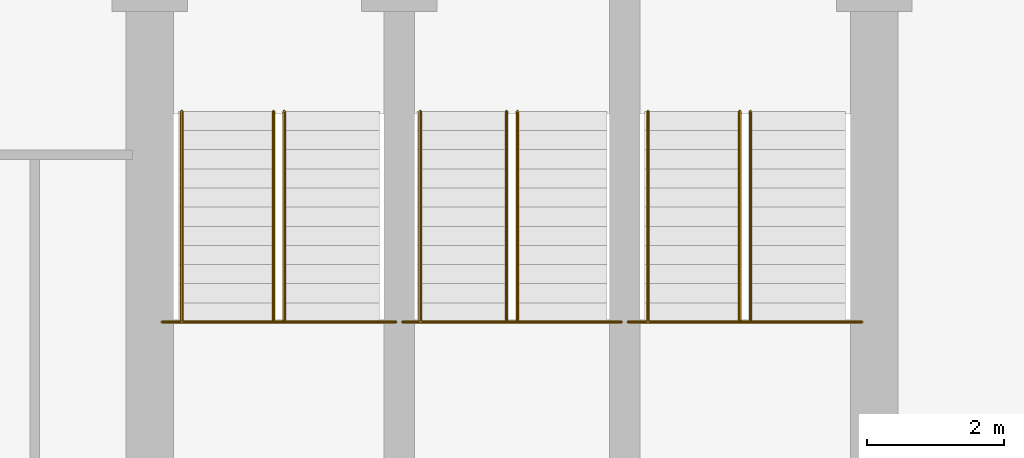
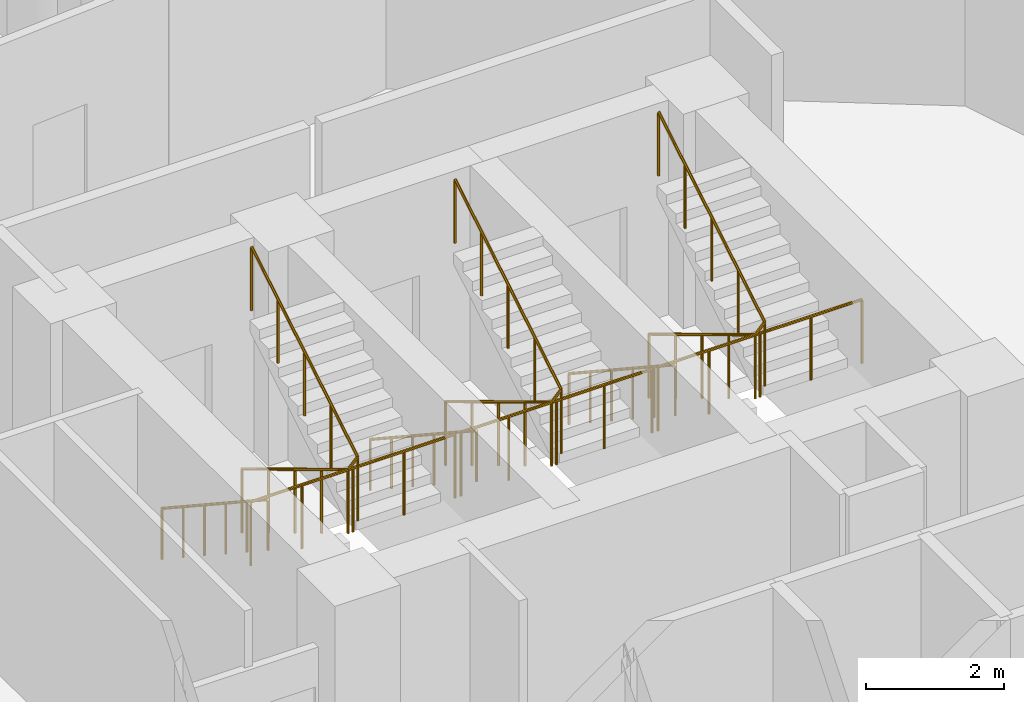
# One storey, part 24 of 24: 9 railings.
"""IFC4 building model written with IfcOpenShell, lengths in metres."""

from ifc_helpers import new_model, si_unit, direction, frame, origin, place, context, subcontext, project, spatial, polyline, outline, extrude, material, type_object, element, save


model = new_model("IFC4")

# Units and contexts
model_context = context("Model", 3, precision=1e-05, world=origin(), true_north=direction((0.0, 1.0)))
body_context = subcontext(model_context, "Body", "Model", "MODEL_VIEW")
ifc_project = project(units=[si_unit("LENGTHUNIT", "METRE"), si_unit("AREAUNIT", "SQUARE_METRE"), si_unit("VOLUMEUNIT", "CUBIC_METRE"), si_unit("PLANEANGLEUNIT", "RADIAN"), si_unit("MASSUNIT", "GRAM", prefix="KILO")], contexts=[model_context])

# Site, building, storey
site_placement = place(None, origin())
site = spatial("IfcSite", under=ifc_project, at=site_placement, CompositionType="ELEMENT")
building_placement = place(site_placement, origin())
building = spatial("IfcBuilding", under=site, at=building_placement, Name="Nuhasar Tower", CompositionType="ELEMENT")
storey_placement = place(building_placement, frame((0.0, 0.0, 73.64990234375)))
storey = spatial("IfcBuildingStorey", under=building, at=storey_placement, Name="L17", CompositionType="ELEMENT", Elevation=73.64990234375)

# Railings
ifc_material_1 = material(Name="Steel S355", Category="steel")
railing_type_1 = type_object("IfcRailingType", Name="RLG-STAIR-GUARD-1150", PredefinedType="GUARDRAIL", material=ifc_material_1)
railing_1_placement = place(storey_placement, frame((33.8798828125, 32.205078125, 2.025146484375)))
element("IfcRailing", 1, at=railing_1_placement, inside=storey, type_object=railing_type_1, Name="L17 Stair ST-01 Guardrail LND", PredefinedType="GUARDRAIL", context=body_context, shape_type="SweptSolid", body=[
    extrude(outline(polyline([(0.024169921875, 0.0), (0.01708984375, 0.01708984375), (0.0, 0.024169921875), (-0.01708984375, 0.01708984375), (-0.024169921875, 0.0), (-0.01708984375, -0.01708984375), (0.0, -0.024169921875), (0.01708984375, -0.01708984375), (0.024169921875, 0.0)])), frame((0.0, 0.0, 1.1259765625), z_axis=(1.0, 0.0, 0.0), x_axis=(0.0, 1.0, 0.0)), (0.0, 0.0, 1.0), 3.420166015625),
    extrude(outline(polyline([(0.02099609375, 0.0), (0.014892578125, 0.014892578125), (0.0, 0.02099609375), (-0.014892578125, 0.014892578125), (-0.02099609375, 0.0), (-0.014892578125, -0.014892578125), (0.0, -0.02099609375), (0.014892578125, -0.014892578125), (0.02099609375, 0.0)])), origin(), (0.0, 0.0, 1.0), 1.101806640625),
    extrude(outline(polyline([(0.02099609375, 0.0), (0.014892578125, 0.014892578125), (0.0, 0.02099609375), (-0.014892578125, 0.014892578125), (-0.02099609375, 0.0), (-0.014892578125, -0.014892578125), (0.0, -0.02099609375), (0.014892578125, -0.014892578125), (0.02099609375, 0.0)])), frame((0.85498046875, 0.0, 0.0)), (0.0, 0.0, 1.0), 1.101806640625),
    extrude(outline(polyline([(0.02099609375, 0.0), (0.014892578125, 0.014892578125), (0.0, 0.02099609375), (-0.014892578125, 0.014892578125), (-0.02099609375, 0.0), (-0.014892578125, -0.014892578125), (0.0, -0.02099609375), (0.014892578125, -0.014892578125), (0.02099609375, 0.0)])), frame((1.7099609375, 0.0, 0.0)), (0.0, 0.0, 1.0), 1.101806640625),
    extrude(outline(polyline([(0.02099609375, 0.0), (0.014892578125, 0.014892578125), (0.0, 0.02099609375), (-0.014892578125, 0.014892578125), (-0.02099609375, 0.0), (-0.014892578125, -0.014892578125), (0.0, -0.02099609375), (0.014892578125, -0.014892578125), (0.02099609375, 0.0)])), frame((2.565185546875, 0.0, 0.0)), (0.0, 0.0, 1.0), 1.101806640625),
    extrude(outline(polyline([(0.02099609375, 0.0), (0.014892578125, 0.014892578125), (0.0, 0.02099609375), (-0.014892578125, 0.014892578125), (-0.02099609375, 0.0), (-0.014892578125, -0.014892578125), (0.0, -0.02099609375), (0.014892578125, -0.014892578125), (0.02099609375, 0.0)])), frame((3.420166015625, 0.0, 0.0)), (0.0, 0.0, 1.0), 1.101806640625),
])
railing_2_placement = place(storey_placement, frame((35.510009765625, 35.284912109375, 0.169189453125)))
element("IfcRailing", 2, at=railing_2_placement, inside=storey, type_object=railing_type_1, Name="L17 Stair ST-01 Guardrail SLT", PredefinedType="GUARDRAIL", context=body_context, shape_type="SweptSolid", body=[
    extrude(outline(polyline([(0.024169921875, 0.0), (0.01708984375, 0.01708984375), (0.0, 0.024169921875), (-0.01708984375, 0.01708984375), (-0.024169921875, 0.0), (-0.01708984375, -0.01708984375), (0.0, -0.024169921875), (0.01708984375, -0.01708984375), (0.024169921875, 0.0)])), frame((0.0, 0.0, 1.1259765625), z_axis=(0.0, -0.856502863198, 0.516142272377), x_axis=(1.0, 0.0, 0.0)), (0.0, 0.0, 1.0), 3.595703125),
    extrude(outline(polyline([(0.024169921875, 0.0), (0.01708984375, 0.01708984375), (0.0, 0.024169921875), (-0.01708984375, 0.01708984375), (-0.024169921875, 0.0), (-0.01708984375, -0.01708984375), (0.0, -0.024169921875), (0.01708984375, -0.01708984375), (0.024169921875, 0.0)])), frame((0.0, -3.079833984375, 2.98193359375), z_axis=(0.687424367727, 0.0, 0.726255973232), x_axis=(0.0, 1.0, 0.0)), (0.0, 0.0, 1.0), 0.232666015625),
    extrude(outline(polyline([(0.024169921875, 0.0), (0.01708984375, 0.01708984375), (0.0, 0.024169921875), (-0.01708984375, 0.01708984375), (-0.024169921875, 0.0), (-0.01708984375, -0.01708984375), (0.0, -0.024169921875), (0.01708984375, -0.01708984375), (0.024169921875, 0.0)])), frame((0.159912109375, -3.079833984375, 3.15087890625), z_axis=(0.0, 0.856502863198, 0.516142272377), x_axis=(-1.0, 0.0, 0.0)), (0.0, 0.0, 1.0), 3.595703125),
    extrude(outline(polyline([(0.02099609375, 0.0), (0.014892578125, 0.014892578125), (0.0, 0.02099609375), (-0.014892578125, 0.014892578125), (-0.02099609375, 0.0), (-0.014892578125, -0.014892578125), (0.0, -0.02099609375), (0.014892578125, -0.014892578125), (0.02099609375, 0.0)])), origin(), (0.0, 0.0, 1.0), 1.101806640625),
    extrude(outline(polyline([(0.02099609375, 0.0), (0.014892578125, 0.014892578125), (0.0, 0.02099609375), (-0.014892578125, 0.014892578125), (-0.02099609375, 0.0), (-0.014892578125, -0.014892578125), (0.0, -0.02099609375), (0.014892578125, -0.014892578125), (0.02099609375, 0.0)])), frame((0.0, -0.77001953125, 0.4638671875)), (0.0, 0.0, 1.0), 1.101806640625),
    extrude(outline(polyline([(0.02099609375, 0.0), (0.014892578125, 0.014892578125), (0.0, 0.02099609375), (-0.014892578125, 0.014892578125), (-0.02099609375, 0.0), (-0.014892578125, -0.014892578125), (0.0, -0.02099609375), (0.014892578125, -0.014892578125), (0.02099609375, 0.0)])), frame((0.0, -1.5400390625, 0.927978515625)), (0.0, 0.0, 1.0), 1.101806640625),
    extrude(outline(polyline([(0.02099609375, 0.0), (0.014892578125, 0.014892578125), (0.0, 0.02099609375), (-0.014892578125, 0.014892578125), (-0.02099609375, 0.0), (-0.014892578125, -0.014892578125), (0.0, -0.02099609375), (0.014892578125, -0.014892578125), (0.02099609375, 0.0)])), frame((0.0, -2.309814453125, 1.39208984375)), (0.0, 0.0, 1.0), 1.101806640625),
    extrude(outline(polyline([(0.02099609375, 0.0), (0.014892578125, 0.014892578125), (0.0, 0.02099609375), (-0.014892578125, 0.014892578125), (-0.02099609375, 0.0), (-0.014892578125, -0.014892578125), (0.0, -0.02099609375), (0.014892578125, -0.014892578125), (0.02099609375, 0.0)])), frame((0.0, -3.079833984375, 1.85595703125)), (0.0, 0.0, 1.0), 1.101806640625),
    extrude(outline(polyline([(0.02099609375, 0.0), (0.014892578125, 0.014892578125), (0.0, 0.02099609375), (-0.014892578125, 0.014892578125), (-0.02099609375, 0.0), (-0.014892578125, -0.014892578125), (0.0, -0.02099609375), (0.014892578125, -0.014892578125), (0.02099609375, 0.0)])), frame((0.159912109375, -3.079833984375, 2.02490234375)), (0.0, 0.0, 1.0), 1.101806640625),
    extrude(outline(polyline([(0.02099609375, 0.0), (0.014892578125, 0.014892578125), (0.0, 0.02099609375), (-0.014892578125, 0.014892578125), (-0.02099609375, 0.0), (-0.014892578125, -0.014892578125), (0.0, -0.02099609375), (0.014892578125, -0.014892578125), (0.02099609375, 0.0)])), frame((0.159912109375, -2.309814453125, 2.48876953125)), (0.0, 0.0, 1.0), 1.101806640625),
    extrude(outline(polyline([(0.02099609375, 0.0), (0.014892578125, 0.014892578125), (0.0, 0.02099609375), (-0.014892578125, 0.014892578125), (-0.02099609375, 0.0), (-0.014892578125, -0.014892578125), (0.0, -0.02099609375), (0.014892578125, -0.014892578125), (0.02099609375, 0.0)])), frame((0.159912109375, -1.5400390625, 2.952880859375)), (0.0, 0.0, 1.0), 1.101806640625),
    extrude(outline(polyline([(0.02099609375, 0.0), (0.014892578125, 0.014892578125), (0.0, 0.02099609375), (-0.014892578125, 0.014892578125), (-0.02099609375, 0.0), (-0.014892578125, -0.014892578125), (0.0, -0.02099609375), (0.014892578125, -0.014892578125), (0.02099609375, 0.0)])), frame((0.159912109375, -0.77001953125, 3.4169921875)), (0.0, 0.0, 1.0), 1.101806640625),
    extrude(outline(polyline([(0.02099609375, 0.0), (0.014892578125, 0.014892578125), (0.0, 0.02099609375), (-0.014892578125, 0.014892578125), (-0.02099609375, 0.0), (-0.014892578125, -0.014892578125), (0.0, -0.02099609375), (0.014892578125, -0.014892578125), (0.02099609375, 0.0)])), frame((0.159912109375, 0.0, 3.880859375)), (0.0, 0.0, 1.0), 1.101806640625),
])
railing_3_placement = place(storey_placement, frame((37.39990234375, 32.205078125, 2.025146484375)))
element("IfcRailing", 3, at=railing_3_placement, inside=storey, type_object=railing_type_1, Name="L17 Stair ST-03 Guardrail LND", PredefinedType="GUARDRAIL", context=body_context, shape_type="SweptSolid", body=[
    extrude(outline(polyline([(0.024169921875, 0.0), (0.01708984375, 0.01708984375), (0.0, 0.024169921875), (-0.01708984375, 0.01708984375), (-0.024169921875, 0.0), (-0.01708984375, -0.01708984375), (0.0, -0.024169921875), (0.01708984375, -0.01708984375), (0.024169921875, 0.0)])), frame((0.0, 0.0, 1.1259765625), z_axis=(1.0, 0.0, 0.0), x_axis=(0.0, 1.0, 0.0)), (0.0, 0.0, 1.0), 3.2001953125),
    extrude(outline(polyline([(0.02099609375, 0.0), (0.014892578125, 0.014892578125), (0.0, 0.02099609375), (-0.014892578125, 0.014892578125), (-0.02099609375, 0.0), (-0.014892578125, -0.014892578125), (0.0, -0.02099609375), (0.014892578125, -0.014892578125), (0.02099609375, 0.0)])), origin(), (0.0, 0.0, 1.0), 1.101806640625),
    extrude(outline(polyline([(0.02099609375, 0.0), (0.014892578125, 0.014892578125), (0.0, 0.02099609375), (-0.014892578125, 0.014892578125), (-0.02099609375, 0.0), (-0.014892578125, -0.014892578125), (0.0, -0.02099609375), (0.014892578125, -0.014892578125), (0.02099609375, 0.0)])), frame((0.800048828125, 0.0, 0.0)), (0.0, 0.0, 1.0), 1.101806640625),
    extrude(outline(polyline([(0.02099609375, 0.0), (0.014892578125, 0.014892578125), (0.0, 0.02099609375), (-0.014892578125, 0.014892578125), (-0.02099609375, 0.0), (-0.014892578125, -0.014892578125), (0.0, -0.02099609375), (0.014892578125, -0.014892578125), (0.02099609375, 0.0)])), frame((1.60009765625, 0.0, 0.0)), (0.0, 0.0, 1.0), 1.101806640625),
    extrude(outline(polyline([(0.02099609375, 0.0), (0.014892578125, 0.014892578125), (0.0, 0.02099609375), (-0.014892578125, 0.014892578125), (-0.02099609375, 0.0), (-0.014892578125, -0.014892578125), (0.0, -0.02099609375), (0.014892578125, -0.014892578125), (0.02099609375, 0.0)])), frame((2.400146484375, 0.0, 0.0)), (0.0, 0.0, 1.0), 1.101806640625),
    extrude(outline(polyline([(0.02099609375, 0.0), (0.014892578125, 0.014892578125), (0.0, 0.02099609375), (-0.014892578125, 0.014892578125), (-0.02099609375, 0.0), (-0.014892578125, -0.014892578125), (0.0, -0.02099609375), (0.014892578125, -0.014892578125), (0.02099609375, 0.0)])), frame((3.2001953125, 0.0, 0.0)), (0.0, 0.0, 1.0), 1.101806640625),
])
railing_4_placement = place(storey_placement, frame((38.919921875, 35.284912109375, 0.169189453125)))
element("IfcRailing", 4, at=railing_4_placement, inside=storey, type_object=railing_type_1, Name="L17 Stair ST-03 Guardrail SLT", PredefinedType="GUARDRAIL", context=body_context, shape_type="SweptSolid", body=[
    extrude(outline(polyline([(0.024169921875, 0.0), (0.01708984375, 0.01708984375), (0.0, 0.024169921875), (-0.01708984375, 0.01708984375), (-0.024169921875, 0.0), (-0.01708984375, -0.01708984375), (0.0, -0.024169921875), (0.01708984375, -0.01708984375), (0.024169921875, 0.0)])), frame((0.0, 0.0, 1.1259765625), z_axis=(0.0, -0.856502863198, 0.516142272377), x_axis=(1.0, 0.0, 0.0)), (0.0, 0.0, 1.0), 3.595703125),
    extrude(outline(polyline([(0.024169921875, 0.0), (0.01708984375, 0.01708984375), (0.0, 0.024169921875), (-0.01708984375, 0.01708984375), (-0.024169921875, 0.0), (-0.01708984375, -0.01708984375), (0.0, -0.024169921875), (0.01708984375, -0.01708984375), (0.024169921875, 0.0)])), frame((0.0, -3.079833984375, 2.98193359375), z_axis=(0.687977326998, 0.0, 0.725732180309), x_axis=(0.0, 1.0, 0.0)), (0.0, 0.0, 1.0), 0.23291015625),
    extrude(outline(polyline([(0.024169921875, 0.0), (0.01708984375, 0.01708984375), (0.0, 0.024169921875), (-0.01708984375, 0.01708984375), (-0.024169921875, 0.0), (-0.01708984375, -0.01708984375), (0.0, -0.024169921875), (0.01708984375, -0.01708984375), (0.024169921875, 0.0)])), frame((0.16015625, -3.079833984375, 3.15087890625), z_axis=(0.0, 0.856502863198, 0.516142272377), x_axis=(-1.0, 0.0, 0.0)), (0.0, 0.0, 1.0), 3.595703125),
    extrude(outline(polyline([(0.02099609375, 0.0), (0.014892578125, 0.014892578125), (0.0, 0.02099609375), (-0.014892578125, 0.014892578125), (-0.02099609375, 0.0), (-0.014892578125, -0.014892578125), (0.0, -0.02099609375), (0.014892578125, -0.014892578125), (0.02099609375, 0.0)])), origin(), (0.0, 0.0, 1.0), 1.101806640625),
    extrude(outline(polyline([(0.02099609375, 0.0), (0.014892578125, 0.014892578125), (0.0, 0.02099609375), (-0.014892578125, 0.014892578125), (-0.02099609375, 0.0), (-0.014892578125, -0.014892578125), (0.0, -0.02099609375), (0.014892578125, -0.014892578125), (0.02099609375, 0.0)])), frame((0.0, -0.77001953125, 0.4638671875)), (0.0, 0.0, 1.0), 1.101806640625),
    extrude(outline(polyline([(0.02099609375, 0.0), (0.014892578125, 0.014892578125), (0.0, 0.02099609375), (-0.014892578125, 0.014892578125), (-0.02099609375, 0.0), (-0.014892578125, -0.014892578125), (0.0, -0.02099609375), (0.014892578125, -0.014892578125), (0.02099609375, 0.0)])), frame((0.0, -1.5400390625, 0.927978515625)), (0.0, 0.0, 1.0), 1.101806640625),
    extrude(outline(polyline([(0.02099609375, 0.0), (0.014892578125, 0.014892578125), (0.0, 0.02099609375), (-0.014892578125, 0.014892578125), (-0.02099609375, 0.0), (-0.014892578125, -0.014892578125), (0.0, -0.02099609375), (0.014892578125, -0.014892578125), (0.02099609375, 0.0)])), frame((0.0, -2.309814453125, 1.39208984375)), (0.0, 0.0, 1.0), 1.101806640625),
    extrude(outline(polyline([(0.02099609375, 0.0), (0.014892578125, 0.014892578125), (0.0, 0.02099609375), (-0.014892578125, 0.014892578125), (-0.02099609375, 0.0), (-0.014892578125, -0.014892578125), (0.0, -0.02099609375), (0.014892578125, -0.014892578125), (0.02099609375, 0.0)])), frame((0.0, -3.079833984375, 1.85595703125)), (0.0, 0.0, 1.0), 1.101806640625),
    extrude(outline(polyline([(0.02099609375, 0.0), (0.014892578125, 0.014892578125), (0.0, 0.02099609375), (-0.014892578125, 0.014892578125), (-0.02099609375, 0.0), (-0.014892578125, -0.014892578125), (0.0, -0.02099609375), (0.014892578125, -0.014892578125), (0.02099609375, 0.0)])), frame((0.16015625, -3.079833984375, 2.02490234375)), (0.0, 0.0, 1.0), 1.101806640625),
    extrude(outline(polyline([(0.02099609375, 0.0), (0.014892578125, 0.014892578125), (0.0, 0.02099609375), (-0.014892578125, 0.014892578125), (-0.02099609375, 0.0), (-0.014892578125, -0.014892578125), (0.0, -0.02099609375), (0.014892578125, -0.014892578125), (0.02099609375, 0.0)])), frame((0.16015625, -2.309814453125, 2.48876953125)), (0.0, 0.0, 1.0), 1.101806640625),
    extrude(outline(polyline([(0.02099609375, 0.0), (0.014892578125, 0.014892578125), (0.0, 0.02099609375), (-0.014892578125, 0.014892578125), (-0.02099609375, 0.0), (-0.014892578125, -0.014892578125), (0.0, -0.02099609375), (0.014892578125, -0.014892578125), (0.02099609375, 0.0)])), frame((0.16015625, -1.5400390625, 2.952880859375)), (0.0, 0.0, 1.0), 1.101806640625),
    extrude(outline(polyline([(0.02099609375, 0.0), (0.014892578125, 0.014892578125), (0.0, 0.02099609375), (-0.014892578125, 0.014892578125), (-0.02099609375, 0.0), (-0.014892578125, -0.014892578125), (0.0, -0.02099609375), (0.014892578125, -0.014892578125), (0.02099609375, 0.0)])), frame((0.16015625, -0.77001953125, 3.4169921875)), (0.0, 0.0, 1.0), 1.101806640625),
    extrude(outline(polyline([(0.02099609375, 0.0), (0.014892578125, 0.014892578125), (0.0, 0.02099609375), (-0.014892578125, 0.014892578125), (-0.02099609375, 0.0), (-0.014892578125, -0.014892578125), (0.0, -0.02099609375), (0.014892578125, -0.014892578125), (0.02099609375, 0.0)])), frame((0.16015625, 0.0, 3.880859375)), (0.0, 0.0, 1.0), 1.101806640625),
])
railing_5_placement = place(storey_placement, frame((40.699951171875, 32.205078125, 2.025146484375)))
element("IfcRailing", 5, at=railing_5_placement, inside=storey, type_object=railing_type_1, Name="L17 Stair ST-02 Guardrail LND", PredefinedType="GUARDRAIL", context=body_context, shape_type="SweptSolid", body=[
    extrude(outline(polyline([(0.024169921875, 0.0), (0.01708984375, 0.01708984375), (0.0, 0.024169921875), (-0.01708984375, 0.01708984375), (-0.024169921875, 0.0), (-0.01708984375, -0.01708984375), (0.0, -0.024169921875), (0.01708984375, -0.01708984375), (0.024169921875, 0.0)])), frame((0.0, 0.0, 1.1259765625), z_axis=(1.0, 0.0, 0.0), x_axis=(0.0, 1.0, 0.0)), (0.0, 0.0, 1.0), 3.420166015625),
    extrude(outline(polyline([(0.02099609375, 0.0), (0.014892578125, 0.014892578125), (0.0, 0.02099609375), (-0.014892578125, 0.014892578125), (-0.02099609375, 0.0), (-0.014892578125, -0.014892578125), (0.0, -0.02099609375), (0.014892578125, -0.014892578125), (0.02099609375, 0.0)])), origin(), (0.0, 0.0, 1.0), 1.101806640625),
    extrude(outline(polyline([(0.02099609375, 0.0), (0.014892578125, 0.014892578125), (0.0, 0.02099609375), (-0.014892578125, 0.014892578125), (-0.02099609375, 0.0), (-0.014892578125, -0.014892578125), (0.0, -0.02099609375), (0.014892578125, -0.014892578125), (0.02099609375, 0.0)])), frame((0.85498046875, 0.0, 0.0)), (0.0, 0.0, 1.0), 1.101806640625),
    extrude(outline(polyline([(0.02099609375, 0.0), (0.014892578125, 0.014892578125), (0.0, 0.02099609375), (-0.014892578125, 0.014892578125), (-0.02099609375, 0.0), (-0.014892578125, -0.014892578125), (0.0, -0.02099609375), (0.014892578125, -0.014892578125), (0.02099609375, 0.0)])), frame((1.7099609375, 0.0, 0.0)), (0.0, 0.0, 1.0), 1.101806640625),
    extrude(outline(polyline([(0.02099609375, 0.0), (0.014892578125, 0.014892578125), (0.0, 0.02099609375), (-0.014892578125, 0.014892578125), (-0.02099609375, 0.0), (-0.014892578125, -0.014892578125), (0.0, -0.02099609375), (0.014892578125, -0.014892578125), (0.02099609375, 0.0)])), frame((2.565185546875, 0.0, 0.0)), (0.0, 0.0, 1.0), 1.101806640625),
    extrude(outline(polyline([(0.02099609375, 0.0), (0.014892578125, 0.014892578125), (0.0, 0.02099609375), (-0.014892578125, 0.014892578125), (-0.02099609375, 0.0), (-0.014892578125, -0.014892578125), (0.0, -0.02099609375), (0.014892578125, -0.014892578125), (0.02099609375, 0.0)])), frame((3.420166015625, 0.0, 0.0)), (0.0, 0.0, 1.0), 1.101806640625),
])
railing_6_placement = place(storey_placement, frame((42.330078125, 35.284912109375, 0.169189453125)))
element("IfcRailing", 6, at=railing_6_placement, inside=storey, type_object=railing_type_1, Name="L17 Stair ST-02 Guardrail SLT", PredefinedType="GUARDRAIL", context=body_context, shape_type="SweptSolid", body=[
    extrude(outline(polyline([(0.024169921875, 0.0), (0.01708984375, 0.01708984375), (0.0, 0.024169921875), (-0.01708984375, 0.01708984375), (-0.024169921875, 0.0), (-0.01708984375, -0.01708984375), (0.0, -0.024169921875), (0.01708984375, -0.01708984375), (0.024169921875, 0.0)])), frame((0.0, 0.0, 1.1259765625), z_axis=(0.0, -0.856502863198, 0.516142272377), x_axis=(1.0, 0.0, 0.0)), (0.0, 0.0, 1.0), 3.595703125),
    extrude(outline(polyline([(0.024169921875, 0.0), (0.01708984375, 0.01708984375), (0.0, 0.024169921875), (-0.01708984375, 0.01708984375), (-0.024169921875, 0.0), (-0.01708984375, -0.01708984375), (0.0, -0.024169921875), (0.01708984375, -0.01708984375), (0.024169921875, 0.0)])), frame((0.0, -3.079833984375, 2.98193359375), z_axis=(0.687424367727, 0.0, 0.726255973232), x_axis=(0.0, 1.0, 0.0)), (0.0, 0.0, 1.0), 0.232666015625),
    extrude(outline(polyline([(0.024169921875, 0.0), (0.01708984375, 0.01708984375), (0.0, 0.024169921875), (-0.01708984375, 0.01708984375), (-0.024169921875, 0.0), (-0.01708984375, -0.01708984375), (0.0, -0.024169921875), (0.01708984375, -0.01708984375), (0.024169921875, 0.0)])), frame((0.159912109375, -3.079833984375, 3.15087890625), z_axis=(0.0, 0.856502863198, 0.516142272377), x_axis=(-1.0, 0.0, 0.0)), (0.0, 0.0, 1.0), 3.595703125),
    extrude(outline(polyline([(0.02099609375, 0.0), (0.014892578125, 0.014892578125), (0.0, 0.02099609375), (-0.014892578125, 0.014892578125), (-0.02099609375, 0.0), (-0.014892578125, -0.014892578125), (0.0, -0.02099609375), (0.014892578125, -0.014892578125), (0.02099609375, 0.0)])), origin(), (0.0, 0.0, 1.0), 1.101806640625),
    extrude(outline(polyline([(0.02099609375, 0.0), (0.014892578125, 0.014892578125), (0.0, 0.02099609375), (-0.014892578125, 0.014892578125), (-0.02099609375, 0.0), (-0.014892578125, -0.014892578125), (0.0, -0.02099609375), (0.014892578125, -0.014892578125), (0.02099609375, 0.0)])), frame((0.0, -0.77001953125, 0.4638671875)), (0.0, 0.0, 1.0), 1.101806640625),
    extrude(outline(polyline([(0.02099609375, 0.0), (0.014892578125, 0.014892578125), (0.0, 0.02099609375), (-0.014892578125, 0.014892578125), (-0.02099609375, 0.0), (-0.014892578125, -0.014892578125), (0.0, -0.02099609375), (0.014892578125, -0.014892578125), (0.02099609375, 0.0)])), frame((0.0, -1.5400390625, 0.927978515625)), (0.0, 0.0, 1.0), 1.101806640625),
    extrude(outline(polyline([(0.02099609375, 0.0), (0.014892578125, 0.014892578125), (0.0, 0.02099609375), (-0.014892578125, 0.014892578125), (-0.02099609375, 0.0), (-0.014892578125, -0.014892578125), (0.0, -0.02099609375), (0.014892578125, -0.014892578125), (0.02099609375, 0.0)])), frame((0.0, -2.309814453125, 1.39208984375)), (0.0, 0.0, 1.0), 1.101806640625),
    extrude(outline(polyline([(0.02099609375, 0.0), (0.014892578125, 0.014892578125), (0.0, 0.02099609375), (-0.014892578125, 0.014892578125), (-0.02099609375, 0.0), (-0.014892578125, -0.014892578125), (0.0, -0.02099609375), (0.014892578125, -0.014892578125), (0.02099609375, 0.0)])), frame((0.0, -3.079833984375, 1.85595703125)), (0.0, 0.0, 1.0), 1.101806640625),
    extrude(outline(polyline([(0.02099609375, 0.0), (0.014892578125, 0.014892578125), (0.0, 0.02099609375), (-0.014892578125, 0.014892578125), (-0.02099609375, 0.0), (-0.014892578125, -0.014892578125), (0.0, -0.02099609375), (0.014892578125, -0.014892578125), (0.02099609375, 0.0)])), frame((0.159912109375, -3.079833984375, 2.02490234375)), (0.0, 0.0, 1.0), 1.101806640625),
    extrude(outline(polyline([(0.02099609375, 0.0), (0.014892578125, 0.014892578125), (0.0, 0.02099609375), (-0.014892578125, 0.014892578125), (-0.02099609375, 0.0), (-0.014892578125, -0.014892578125), (0.0, -0.02099609375), (0.014892578125, -0.014892578125), (0.02099609375, 0.0)])), frame((0.159912109375, -2.309814453125, 2.48876953125)), (0.0, 0.0, 1.0), 1.101806640625),
    extrude(outline(polyline([(0.02099609375, 0.0), (0.014892578125, 0.014892578125), (0.0, 0.02099609375), (-0.014892578125, 0.014892578125), (-0.02099609375, 0.0), (-0.014892578125, -0.014892578125), (0.0, -0.02099609375), (0.014892578125, -0.014892578125), (0.02099609375, 0.0)])), frame((0.159912109375, -1.5400390625, 2.952880859375)), (0.0, 0.0, 1.0), 1.101806640625),
    extrude(outline(polyline([(0.02099609375, 0.0), (0.014892578125, 0.014892578125), (0.0, 0.02099609375), (-0.014892578125, 0.014892578125), (-0.02099609375, 0.0), (-0.014892578125, -0.014892578125), (0.0, -0.02099609375), (0.014892578125, -0.014892578125), (0.02099609375, 0.0)])), frame((0.159912109375, -0.77001953125, 3.4169921875)), (0.0, 0.0, 1.0), 1.101806640625),
    extrude(outline(polyline([(0.02099609375, 0.0), (0.014892578125, 0.014892578125), (0.0, 0.02099609375), (-0.014892578125, 0.014892578125), (-0.02099609375, 0.0), (-0.014892578125, -0.014892578125), (0.0, -0.02099609375), (0.014892578125, -0.014892578125), (0.02099609375, 0.0)])), frame((0.159912109375, 0.0, 3.880859375)), (0.0, 0.0, 1.0), 1.101806640625),
])
ifc_material_2 = material(Name="Stainless Steel 316L", Category="steel")
railing_type_2 = type_object("IfcRailingType", Name="RLG-STAIR-HAND-920", PredefinedType="HANDRAIL", material=ifc_material_2)
railing_7_placement = place(storey_placement, frame((34.169921875, 35.284912109375, 0.169189453125)))
element("IfcRailing", 7, at=railing_7_placement, inside=storey, type_object=railing_type_2, Name="L17 Stair ST-01 Handrail HND1", PredefinedType="HANDRAIL", context=body_context, shape_type="SweptSolid", body=[
    extrude(outline(polyline([(0.024169921875, 0.0), (0.01708984375, 0.01708984375), (0.0, 0.024169921875), (-0.01708984375, 0.01708984375), (-0.024169921875, 0.0), (-0.01708984375, -0.01708984375), (0.0, -0.024169921875), (0.01708984375, -0.01708984375), (0.024169921875, 0.0)])), frame((0.0, 0.0, 0.89599609375), z_axis=(0.0, -0.83557951683, 0.54936952141), x_axis=(1.0, 0.0, 0.0)), (0.0, 0.0, 1.0), 3.685791015625),
    extrude(outline(polyline([(0.02099609375, 0.0), (0.014892578125, 0.014892578125), (0.0, 0.02099609375), (-0.014892578125, 0.014892578125), (-0.02099609375, 0.0), (-0.014892578125, -0.014892578125), (0.0, -0.02099609375), (0.014892578125, -0.014892578125), (0.02099609375, 0.0)])), origin(), (0.0, 0.0, 1.0), 0.871826171875),
    extrude(outline(polyline([(0.02099609375, 0.0), (0.014892578125, 0.014892578125), (0.0, 0.02099609375), (-0.014892578125, 0.014892578125), (-0.02099609375, 0.0), (-0.014892578125, -0.014892578125), (0.0, -0.02099609375), (0.014892578125, -0.014892578125), (0.02099609375, 0.0)])), frame((0.0, -0.615966796875, 0.405029296875)), (0.0, 0.0, 1.0), 0.871826171875),
    extrude(outline(polyline([(0.02099609375, 0.0), (0.014892578125, 0.014892578125), (0.0, 0.02099609375), (-0.014892578125, 0.014892578125), (-0.02099609375, 0.0), (-0.014892578125, -0.014892578125), (0.0, -0.02099609375), (0.014892578125, -0.014892578125), (0.02099609375, 0.0)])), frame((0.0, -1.23193359375, 0.81005859375)), (0.0, 0.0, 1.0), 0.871826171875),
    extrude(outline(polyline([(0.02099609375, 0.0), (0.014892578125, 0.014892578125), (0.0, 0.02099609375), (-0.014892578125, 0.014892578125), (-0.02099609375, 0.0), (-0.014892578125, -0.014892578125), (0.0, -0.02099609375), (0.014892578125, -0.014892578125), (0.02099609375, 0.0)])), frame((0.0, -1.847900390625, 1.21484375)), (0.0, 0.0, 1.0), 0.871826171875),
    extrude(outline(polyline([(0.02099609375, 0.0), (0.014892578125, 0.014892578125), (0.0, 0.02099609375), (-0.014892578125, 0.014892578125), (-0.02099609375, 0.0), (-0.014892578125, -0.014892578125), (0.0, -0.02099609375), (0.014892578125, -0.014892578125), (0.02099609375, 0.0)])), frame((0.0, -2.4638671875, 1.619873046875)), (0.0, 0.0, 1.0), 0.871826171875),
    extrude(outline(polyline([(0.02099609375, 0.0), (0.014892578125, 0.014892578125), (0.0, 0.02099609375), (-0.014892578125, 0.014892578125), (-0.02099609375, 0.0), (-0.014892578125, -0.014892578125), (0.0, -0.02099609375), (0.014892578125, -0.014892578125), (0.02099609375, 0.0)])), frame((0.0, -3.079833984375, 2.02490234375)), (0.0, 0.0, 1.0), 0.871826171875),
])
railing_8_placement = place(storey_placement, frame((37.659912109375, 35.284912109375, 0.169189453125)))
element("IfcRailing", 8, at=railing_8_placement, inside=storey, type_object=railing_type_2, Name="L17 Stair ST-03 Handrail HND1", PredefinedType="HANDRAIL", context=body_context, shape_type="SweptSolid", body=[
    extrude(outline(polyline([(0.024169921875, 0.0), (0.01708984375, 0.01708984375), (0.0, 0.024169921875), (-0.01708984375, 0.01708984375), (-0.024169921875, 0.0), (-0.01708984375, -0.01708984375), (0.0, -0.024169921875), (0.01708984375, -0.01708984375), (0.024169921875, 0.0)])), frame((0.0, 0.0, 0.89599609375), z_axis=(0.0, -0.83557951683, 0.54936952141), x_axis=(1.0, 0.0, 0.0)), (0.0, 0.0, 1.0), 3.685791015625),
    extrude(outline(polyline([(0.02099609375, 0.0), (0.014892578125, 0.014892578125), (0.0, 0.02099609375), (-0.014892578125, 0.014892578125), (-0.02099609375, 0.0), (-0.014892578125, -0.014892578125), (0.0, -0.02099609375), (0.014892578125, -0.014892578125), (0.02099609375, 0.0)])), origin(), (0.0, 0.0, 1.0), 0.871826171875),
    extrude(outline(polyline([(0.02099609375, 0.0), (0.014892578125, 0.014892578125), (0.0, 0.02099609375), (-0.014892578125, 0.014892578125), (-0.02099609375, 0.0), (-0.014892578125, -0.014892578125), (0.0, -0.02099609375), (0.014892578125, -0.014892578125), (0.02099609375, 0.0)])), frame((0.0, -0.615966796875, 0.405029296875)), (0.0, 0.0, 1.0), 0.871826171875),
    extrude(outline(polyline([(0.02099609375, 0.0), (0.014892578125, 0.014892578125), (0.0, 0.02099609375), (-0.014892578125, 0.014892578125), (-0.02099609375, 0.0), (-0.014892578125, -0.014892578125), (0.0, -0.02099609375), (0.014892578125, -0.014892578125), (0.02099609375, 0.0)])), frame((0.0, -1.23193359375, 0.81005859375)), (0.0, 0.0, 1.0), 0.871826171875),
    extrude(outline(polyline([(0.02099609375, 0.0), (0.014892578125, 0.014892578125), (0.0, 0.02099609375), (-0.014892578125, 0.014892578125), (-0.02099609375, 0.0), (-0.014892578125, -0.014892578125), (0.0, -0.02099609375), (0.014892578125, -0.014892578125), (0.02099609375, 0.0)])), frame((0.0, -1.847900390625, 1.21484375)), (0.0, 0.0, 1.0), 0.871826171875),
    extrude(outline(polyline([(0.02099609375, 0.0), (0.014892578125, 0.014892578125), (0.0, 0.02099609375), (-0.014892578125, 0.014892578125), (-0.02099609375, 0.0), (-0.014892578125, -0.014892578125), (0.0, -0.02099609375), (0.014892578125, -0.014892578125), (0.02099609375, 0.0)])), frame((0.0, -2.4638671875, 1.619873046875)), (0.0, 0.0, 1.0), 0.871826171875),
    extrude(outline(polyline([(0.02099609375, 0.0), (0.014892578125, 0.014892578125), (0.0, 0.02099609375), (-0.014892578125, 0.014892578125), (-0.02099609375, 0.0), (-0.014892578125, -0.014892578125), (0.0, -0.02099609375), (0.014892578125, -0.014892578125), (0.02099609375, 0.0)])), frame((0.0, -3.079833984375, 2.02490234375)), (0.0, 0.0, 1.0), 0.871826171875),
])
railing_9_placement = place(storey_placement, frame((40.989990234375, 35.284912109375, 0.169189453125)))
element("IfcRailing", 9, at=railing_9_placement, inside=storey, type_object=railing_type_2, Name="L17 Stair ST-02 Handrail HND1", PredefinedType="HANDRAIL", context=body_context, shape_type="SweptSolid", body=[
    extrude(outline(polyline([(0.024169921875, 0.0), (0.01708984375, 0.01708984375), (0.0, 0.024169921875), (-0.01708984375, 0.01708984375), (-0.024169921875, 0.0), (-0.01708984375, -0.01708984375), (0.0, -0.024169921875), (0.01708984375, -0.01708984375), (0.024169921875, 0.0)])), frame((0.0, 0.0, 0.89599609375), z_axis=(0.0, -0.83557951683, 0.54936952141), x_axis=(1.0, 0.0, 0.0)), (0.0, 0.0, 1.0), 3.685791015625),
    extrude(outline(polyline([(0.02099609375, 0.0), (0.014892578125, 0.014892578125), (0.0, 0.02099609375), (-0.014892578125, 0.014892578125), (-0.02099609375, 0.0), (-0.014892578125, -0.014892578125), (0.0, -0.02099609375), (0.014892578125, -0.014892578125), (0.02099609375, 0.0)])), origin(), (0.0, 0.0, 1.0), 0.871826171875),
    extrude(outline(polyline([(0.02099609375, 0.0), (0.014892578125, 0.014892578125), (0.0, 0.02099609375), (-0.014892578125, 0.014892578125), (-0.02099609375, 0.0), (-0.014892578125, -0.014892578125), (0.0, -0.02099609375), (0.014892578125, -0.014892578125), (0.02099609375, 0.0)])), frame((0.0, -0.615966796875, 0.405029296875)), (0.0, 0.0, 1.0), 0.871826171875),
    extrude(outline(polyline([(0.02099609375, 0.0), (0.014892578125, 0.014892578125), (0.0, 0.02099609375), (-0.014892578125, 0.014892578125), (-0.02099609375, 0.0), (-0.014892578125, -0.014892578125), (0.0, -0.02099609375), (0.014892578125, -0.014892578125), (0.02099609375, 0.0)])), frame((0.0, -1.23193359375, 0.81005859375)), (0.0, 0.0, 1.0), 0.871826171875),
    extrude(outline(polyline([(0.02099609375, 0.0), (0.014892578125, 0.014892578125), (0.0, 0.02099609375), (-0.014892578125, 0.014892578125), (-0.02099609375, 0.0), (-0.014892578125, -0.014892578125), (0.0, -0.02099609375), (0.014892578125, -0.014892578125), (0.02099609375, 0.0)])), frame((0.0, -1.847900390625, 1.21484375)), (0.0, 0.0, 1.0), 0.871826171875),
    extrude(outline(polyline([(0.02099609375, 0.0), (0.014892578125, 0.014892578125), (0.0, 0.02099609375), (-0.014892578125, 0.014892578125), (-0.02099609375, 0.0), (-0.014892578125, -0.014892578125), (0.0, -0.02099609375), (0.014892578125, -0.014892578125), (0.02099609375, 0.0)])), frame((0.0, -2.4638671875, 1.619873046875)), (0.0, 0.0, 1.0), 0.871826171875),
    extrude(outline(polyline([(0.02099609375, 0.0), (0.014892578125, 0.014892578125), (0.0, 0.02099609375), (-0.014892578125, 0.014892578125), (-0.02099609375, 0.0), (-0.014892578125, -0.014892578125), (0.0, -0.02099609375), (0.014892578125, -0.014892578125), (0.02099609375, 0.0)])), frame((0.0, -3.079833984375, 2.02490234375)), (0.0, 0.0, 1.0), 0.871826171875),
])

save(model, "model.ifc")
